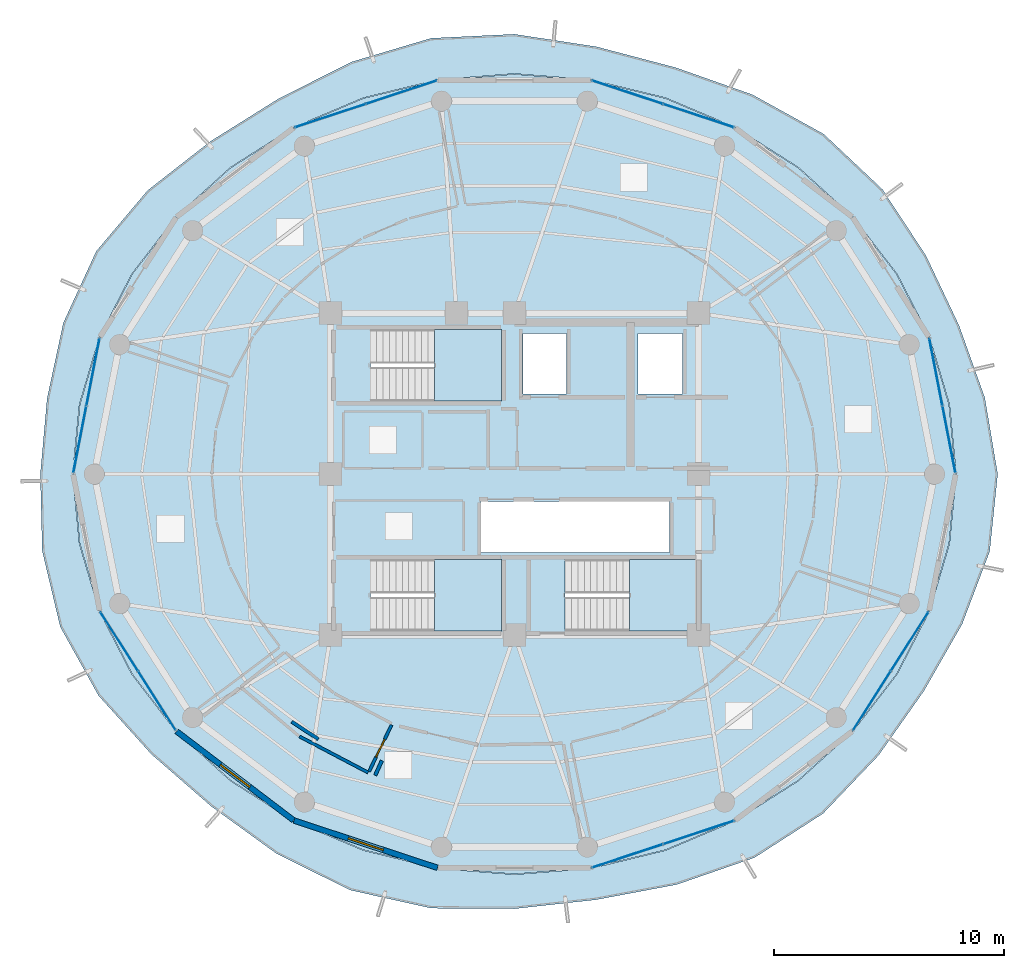
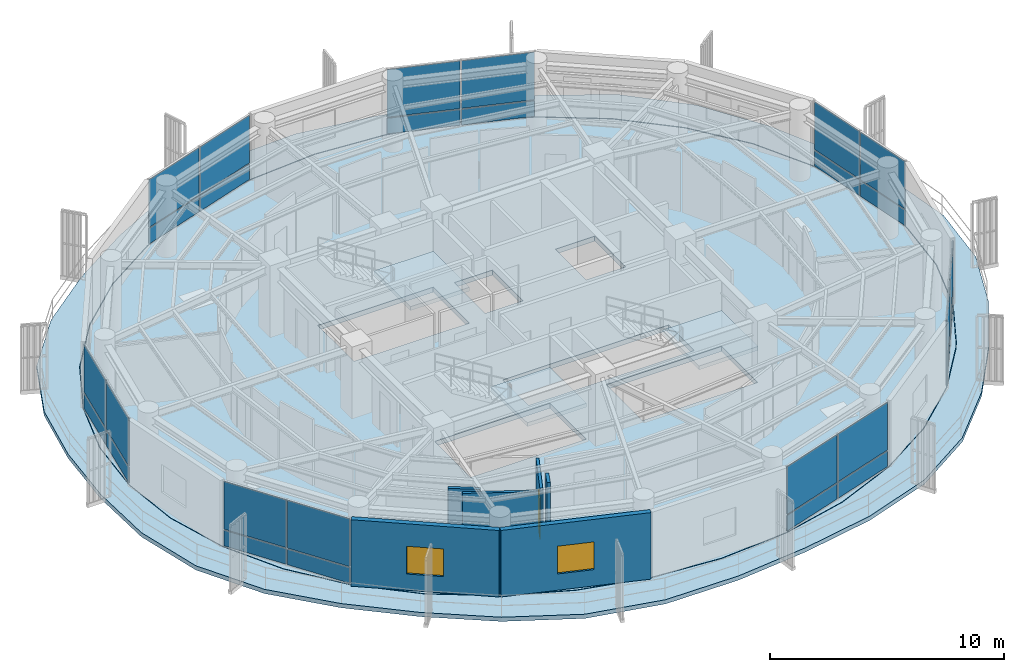
# One storey, part 15 of 23: 28 plates, 6 walls, 5 slabs, 2 windows, 1 door, 3 openings, 10 elements without a shape of their own.
"""IFC4 building model written with IfcOpenShell, lengths in metres."""

from ifc_helpers import new_model, si_unit, direction, frame, frame_2d, origin, origin_2d, place, context, subcontext, project, spatial, polyline, rectangle, outline, extrude, source, transform, mapped, material, layer, layer_set, type_object, element, fill, aggregate, save


model = new_model("IFC4")

# Units and contexts
model_context = context("Model", 3, precision=1e-05, world=origin(), true_north=direction((0.0, 1.0)))
body_context = subcontext(model_context, "Body", "Model", "MODEL_VIEW")
ifc_project = project(units=[si_unit("LENGTHUNIT", "METRE"), si_unit("AREAUNIT", "SQUARE_METRE"), si_unit("VOLUMEUNIT", "CUBIC_METRE"), si_unit("PLANEANGLEUNIT", "RADIAN"), si_unit("MASSUNIT", "GRAM", prefix="KILO")], contexts=[model_context])

# Site, building, storey
site_placement = place(None, origin())
site = spatial("IfcSite", under=ifc_project, at=site_placement, CompositionType="ELEMENT")
building_placement = place(site_placement, origin())
building = spatial("IfcBuilding", under=site, at=building_placement, Name="Kelanora Arch Commons", CompositionType="ELEMENT")
storey_placement = place(building_placement, frame((0.0, 0.0, 282.449951171875)))
storey = spatial("IfcBuildingStorey", under=building, at=storey_placement, Name="L72", CompositionType="ELEMENT", Elevation=282.449951171875)

# Stair, slab
ifc_material_1 = material(Name="Concrete C40/50", Category="concrete")
stair_type = type_object("IfcStairType", Name="STR-DL-375", PredefinedType="HALF_TURN_STAIR", material=ifc_material_1)
stair_1_placement = place(storey_placement, origin())
stair_1 = element("IfcStair", 1, at=stair_1_placement, inside=storey, type_object=stair_type, Name="L72 ST-T1", PredefinedType="HALF_TURN_STAIR")
ifc_layer_1 = layer(ifc_material_1, 0.199951171875)
ifc_layer_set_1 = layer_set([ifc_layer_1], Name="Concrete C40/50")
slab_type_1 = type_object("IfcSlabType", Name="SLB-STAIR-LND", PredefinedType="LANDING", material=ifc_layer_set_1)
slab_1_placement = place(storey_placement, frame((0.0, 0.0, 1.675048828125)))
slab_1 = element("IfcSlab", 2, at=slab_1_placement, type_object=slab_type_1, Name="ST-T1 landing 1", PredefinedType="LANDING", context=body_context, shape_type="SweptSolid", body=[
    extrude(outline(polyline([(70.52001953125, 61.179931640625), (73.43994140625, 61.179931640625), (73.43994140625, 64.2900390625), (70.52001953125, 64.2900390625), (70.52001953125, 61.179931640625)])), origin(), (0.0, 0.0, 1.0), 0.199951171875),
])
aggregate(stair_1, [slab_1])

stair_2_placement = place(storey_placement, origin())
stair_2 = element("IfcStair", 3, at=stair_2_placement, inside=storey, type_object=stair_type, Name="L72 ST-T2", PredefinedType="HALF_TURN_STAIR")
slab_2_placement = place(storey_placement, frame((0.0, 0.0, 1.675048828125)))
slab_2 = element("IfcSlab", 4, at=slab_2_placement, type_object=slab_type_1, Name="ST-T2 landing 1", PredefinedType="LANDING", context=body_context, shape_type="SweptSolid", body=[
    extrude(outline(polyline([(79.0, 51.179931640625), (81.919921875, 51.179931640625), (81.919921875, 54.2900390625), (79.0, 54.2900390625), (79.0, 51.179931640625)])), origin(), (0.0, 0.0, 1.0), 0.199951171875),
])
aggregate(stair_2, [slab_2])

stair_3_placement = place(storey_placement, origin())
stair_3 = element("IfcStair", 5, at=stair_3_placement, inside=storey, type_object=stair_type, Name="L72 ST-T3", PredefinedType="HALF_TURN_STAIR")
slab_3_placement = place(storey_placement, frame((0.0, 0.0, 1.675048828125)))
slab_3 = element("IfcSlab", 6, at=slab_3_placement, type_object=slab_type_1, Name="ST-T3 landing 1", PredefinedType="LANDING", context=body_context, shape_type="SweptSolid", body=[
    extrude(outline(polyline([(70.52001953125, 51.179931640625), (73.43994140625, 51.179931640625), (73.43994140625, 54.2900390625), (70.52001953125, 54.2900390625), (70.52001953125, 51.179931640625)])), origin(), (0.0, 0.0, 1.0), 0.199951171875),
])
aggregate(stair_3, [slab_3])

# Slabs
ifc_layer_2 = layer(ifc_material_1, 0.260009765625)
ifc_layer_set_2 = layer_set([ifc_layer_2], Name="Concrete C40/50")
slab_type_2 = type_object("IfcSlabType", Name="SLB-TWR-TYP", PredefinedType="FLOOR", material=ifc_layer_set_2)
slab_4_placement = place(storey_placement, frame((0.0, 0.0, -0.260009765625)))
element("IfcSlab", 7, at=slab_4_placement, inside=storey, type_object=slab_type_2, Name="Tower Floor Slab L72", PredefinedType="FLOOR", context=body_context, shape_type="SweptSolid", body=[
    extrude(outline(polyline([(93.199951171875, 58.0), (92.908203125, 61.021484375), (92.0419921875, 63.951171875), (90.627685546875, 66.699951171875), (88.7080078125, 69.1845703125), (86.341552734375, 71.3291015625), (83.60009765625, 73.06884765625), (80.56689453125, 74.3505859375), (77.333984375, 75.1357421875), (74.0, 75.39990234375), (70.666015625, 75.1357421875), (67.43310546875, 74.3505859375), (64.39990234375, 73.06884765625), (61.658447265625, 71.3291015625), (59.2919921875, 69.1845703125), (57.372314453125, 66.699951171875), (55.9580078125, 63.951171875), (55.091796875, 61.021484375), (54.800048828125, 58.0), (55.091796875, 54.978515625), (55.9580078125, 52.048828125), (57.372314453125, 49.300048828125), (59.2919921875, 46.8154296875), (61.658447265625, 44.6708984375), (64.39990234375, 42.93115234375), (67.43310546875, 41.6494140625), (70.666015625, 40.8642578125), (74.0, 40.60009765625), (77.333984375, 40.8642578125), (80.56689453125, 41.6494140625), (83.60009765625, 42.93115234375), (86.341552734375, 44.6708984375), (88.7080078125, 46.8154296875), (90.627685546875, 49.300048828125), (92.0419921875, 52.048828125), (92.908203125, 54.978515625), (93.199951171875, 58.0)]), holes=[polyline([(73.431884765625, 51.18798828125), (67.72802734375, 51.18798828125), (67.72802734375, 54.281982421875), (73.431884765625, 54.281982421875), (73.431884765625, 51.18798828125)]), polyline([(76.2080078125, 51.18798828125), (76.2080078125, 54.281982421875), (81.912109375, 54.281982421875), (81.912109375, 51.18798828125), (76.2080078125, 51.18798828125)]), polyline([(72.550048828125, 54.60009765625), (72.550048828125, 56.800048828125), (80.75, 56.800048828125), (80.75, 54.60009765625), (72.550048828125, 54.60009765625)]), polyline([(73.431884765625, 61.18798828125), (67.72802734375, 61.18798828125), (67.72802734375, 64.281982421875), (73.431884765625, 64.281982421875), (73.431884765625, 61.18798828125)]), polyline([(74.3798828125, 61.47998046875), (74.3798828125, 64.1201171875), (76.260009765625, 64.1201171875), (76.260009765625, 61.47998046875), (74.3798828125, 61.47998046875)]), polyline([(79.3798828125, 61.47998046875), (79.3798828125, 64.1201171875), (81.320068359375, 64.1201171875), (81.320068359375, 61.47998046875), (79.3798828125, 61.47998046875)])]), origin(), (0.0, 0.0, 1.0), 0.260009765625),
])
ifc_layer_3 = layer(ifc_material_1, 0.219970703125)
ifc_layer_set_3 = layer_set([ifc_layer_3], Name="Concrete C40/50")
slab_type_3 = type_object("IfcSlabType", Name="SLB-WAVE-BAL", PredefinedType="FLOOR", material=ifc_layer_set_3)
slab_5_placement = place(storey_placement, frame((0.0, 0.0, -0.219970703125)))
element("IfcSlab", 8, at=slab_5_placement, inside=storey, type_object=slab_type_3, Name="Sinusoidal Wave Balcony Slab L72", PredefinedType="FLOOR", context=body_context, shape_type="SweptSolid", body=[
    extrude(outline(polyline([(95.024169921875, 58.0), (94.464111328125, 61.32421875), (93.33984375, 64.472412109375), (91.901123046875, 67.51123046875), (90.0087890625, 70.388916015625), (87.4560546875, 72.794677734375), (84.353271484375, 74.5087890625), (81.008056640625, 75.688720703125), (77.567138671875, 76.59423828125), (74.0, 77.139892578125), (70.373779296875, 76.964111328125), (66.91162109375, 75.931884765625), (63.739013671875, 74.332275390625), (60.781494140625, 72.482421875), (58.0419921875, 70.342041015625), (55.807861328125, 67.69677734375), (54.376953125, 64.586181640625), (53.669677734375, 61.298095703125), (53.374267578125, 58.0), (53.45751953125, 54.660400390625), (54.23974609375, 51.35888671875), (55.90478515625, 48.364990234375), (58.2080078125, 45.81201171875), (60.8056640625, 43.54931640625), (63.646728515625, 41.4912109375), (66.8564453125, 39.90087890625), (70.38623046875, 39.11376953125), (74.0, 39.090087890625), (77.5546875, 39.4833984375), (81.063232421875, 40.14404296875), (84.44580078125, 41.314697265625), (87.431884765625, 43.237060546875), (89.8427734375, 45.764892578125), (91.80419921875, 48.550537109375), (93.47705078125, 51.472412109375), (94.67626953125, 54.634521484375), (95.024169921875, 58.0)]), holes=[polyline([(92.927978515625, 54.97509765625), (92.060791015625, 52.0419921875), (90.64501953125, 49.2900390625), (88.723388671875, 46.802490234375), (86.3544921875, 44.655517578125), (83.610107421875, 42.913818359375), (80.573486328125, 41.630615234375), (77.33740234375, 40.844482421875), (74.0, 40.580078125), (70.66259765625, 40.844482421875), (67.426513671875, 41.630615234375), (64.389892578125, 42.913818359375), (61.6455078125, 44.655517578125), (59.276611328125, 46.802490234375), (57.35498046875, 49.2900390625), (55.939208984375, 52.0419921875), (55.072021484375, 54.97509765625), (54.780029296875, 58.0), (55.072021484375, 61.02490234375), (55.939208984375, 63.9580078125), (57.35498046875, 66.7099609375), (59.276611328125, 69.197509765625), (61.6455078125, 71.344482421875), (64.389892578125, 73.086181640625), (67.426513671875, 74.369384765625), (70.66259765625, 75.155517578125), (74.0, 75.419921875), (77.33740234375, 75.155517578125), (80.573486328125, 74.369384765625), (83.610107421875, 73.086181640625), (86.3544921875, 71.344482421875), (88.723388671875, 69.197509765625), (90.64501953125, 66.7099609375), (92.060791015625, 63.9580078125), (92.927978515625, 61.02490234375), (93.219970703125, 58.0), (92.927978515625, 54.97509765625)])]), origin(), (0.0, 0.0, 1.0), 0.219970703125),
])

# Curtain wall, plates
ifc_material_2 = material(Name="Terracotta ceramic-fritted low-E glass and aluminium", Category="masonry")
ifc_layer_4 = layer(ifc_material_2, 0.18994140625)
ifc_layer_set_4 = layer_set([ifc_layer_4], Name="Terracotta ceramic-fritted low-E glass and aluminium")
curtain_wall_type = type_object("IfcCurtainWallType", Name="CW-SYS-03", PredefinedType="NOTDEFINED", material=ifc_layer_set_4)
curtain_wall_1_placement = place(storey_placement, origin())
curtain_wall_1 = element("IfcCurtainWall", 9, at=curtain_wall_1_placement, inside=storey, type_object=curtain_wall_type, Name="Unitised Curtain Wall L72-B00", PredefinedType="NOTDEFINED")
ifc_material_3 = material(Name="Terracotta ceramic-fritted double glazing", Category="masonry")
ifc_layer_5 = layer(ifc_material_3, 0.028076171875)
ifc_layer_set_5 = layer_set([ifc_layer_5], Name="Terracotta ceramic-fritted double glazing")
plate_type = type_object("IfcPlateType", Name="CWP-FRIT", PredefinedType="CURTAIN_PANEL", material=ifc_layer_set_5)
shared_shape_1 = source(origin(), body_context, "Body", "SweptSolid", [
    extrude(rectangle(XDim=2.926513671875, YDim=0.028076171875, at=origin_2d()), origin(), (0.0, 0.0, 1.0), 0.81005859375),
])
plate_1_placement = place(storey_placement, frame((92.90625, 59.509765625, 0.06005859375), z_axis=(0.0, 0.0, 1.0), x_axis=(-0.190971701941, 0.981595542501, 0.0)))
plate_1 = element("IfcPlate", 10, at=plate_1_placement, type_object=plate_type, Name="CW-03 panel 1.1", PredefinedType="CURTAIN_PANEL", context=body_context, shape_type="MappedRepresentation", body=[
    mapped(shared_shape_1, transform((0.0, 0.0, 0.0), scale=1.0)),
])
plate_2_placement = place(storey_placement, frame((92.3359375, 62.44140625, 0.06005859375), z_axis=(0.0, 0.0, 1.0), x_axis=(-0.190971701941, 0.981595542501, 0.0)))
plate_2 = element("IfcPlate", 11, at=plate_2_placement, type_object=plate_type, Name="CW-03 panel 2.1", PredefinedType="CURTAIN_PANEL", context=body_context, shape_type="MappedRepresentation", body=[
    mapped(shared_shape_1, transform((0.0, 0.0, 0.0), scale=1.0)),
])

curtain_wall_2_placement = place(storey_placement, origin())
curtain_wall_2 = element("IfcCurtainWall", 12, at=curtain_wall_2_placement, inside=storey, type_object=curtain_wall_type, Name="Unitised Curtain Wall L72-B08", PredefinedType="NOTDEFINED")
plate_3_placement = place(storey_placement, frame((55.6640625, 62.44140625, 0.06005859375), z_axis=(0.0, 0.0, 1.0), x_axis=(-0.190971701941, -0.981595542501, 0.0)))
plate_3 = element("IfcPlate", 13, at=plate_3_placement, type_object=plate_type, Name="CW-03 panel 1.1", PredefinedType="CURTAIN_PANEL", context=body_context, shape_type="MappedRepresentation", body=[
    mapped(shared_shape_1, transform((0.0, 0.0, 0.0), scale=1.0)),
])
plate_4_placement = place(storey_placement, frame((55.09375, 59.509765625, 0.06005859375), z_axis=(0.0, 0.0, 1.0), x_axis=(-0.190971701941, -0.981595542501, 0.0)))
plate_4 = element("IfcPlate", 14, at=plate_4_placement, type_object=plate_type, Name="CW-03 panel 2.1", PredefinedType="CURTAIN_PANEL", context=body_context, shape_type="MappedRepresentation", body=[
    mapped(shared_shape_1, transform((0.0, 0.0, 0.0), scale=1.0)),
])

# Plate
shared_shape_2 = source(origin(), body_context, "Body", "SweptSolid", [
    extrude(rectangle(XDim=2.926513671875, YDim=0.028076171875, at=origin_2d()), origin(), (0.0, 0.0, 1.0), 2.485107421875),
])
plate_5_placement = place(storey_placement, frame((92.90625, 59.509765625, 0.93017578125), z_axis=(0.0, 0.0, 1.0), x_axis=(-0.190971701941, 0.981595542501, 0.0)))
plate_5 = element("IfcPlate", 15, at=plate_5_placement, type_object=plate_type, Name="CW-03 panel 1.2", PredefinedType="CURTAIN_PANEL", context=body_context, shape_type="MappedRepresentation", body=[
    mapped(shared_shape_2, transform((0.0, 0.0, 0.0), scale=1.0)),
])

plate_6_placement = place(storey_placement, frame((92.3359375, 62.44140625, 0.93017578125), z_axis=(0.0, 0.0, 1.0), x_axis=(-0.190971701941, 0.981595542501, 0.0)))
plate_6 = element("IfcPlate", 16, at=plate_6_placement, type_object=plate_type, Name="CW-03 panel 2.2", PredefinedType="CURTAIN_PANEL", context=body_context, shape_type="MappedRepresentation", body=[
    mapped(shared_shape_2, transform((0.0, 0.0, 0.0), scale=1.0)),
])

aggregate(curtain_wall_1, [plate_1, plate_5, plate_2, plate_6])

plate_7_placement = place(storey_placement, frame((55.6640625, 62.44140625, 0.93017578125), z_axis=(0.0, 0.0, 1.0), x_axis=(-0.190971701941, -0.981595542501, 0.0)))
plate_7 = element("IfcPlate", 17, at=plate_7_placement, type_object=plate_type, Name="CW-03 panel 1.2", PredefinedType="CURTAIN_PANEL", context=body_context, shape_type="MappedRepresentation", body=[
    mapped(shared_shape_2, transform((0.0, 0.0, 0.0), scale=1.0)),
])

plate_8_placement = place(storey_placement, frame((55.09375, 59.509765625, 0.93017578125), z_axis=(0.0, 0.0, 1.0), x_axis=(-0.190971701941, -0.981595542501, 0.0)))
plate_8 = element("IfcPlate", 18, at=plate_8_placement, type_object=plate_type, Name="CW-03 panel 2.2", PredefinedType="CURTAIN_PANEL", context=body_context, shape_type="MappedRepresentation", body=[
    mapped(shared_shape_2, transform((0.0, 0.0, 0.0), scale=1.0)),
])

aggregate(curtain_wall_2, [plate_3, plate_7, plate_4, plate_8])

# Curtain wall, plates
curtain_wall_3_placement = place(storey_placement, origin())
curtain_wall_3 = element("IfcCurtainWall", 19, at=curtain_wall_3_placement, inside=storey, type_object=curtain_wall_type, Name="Unitised Curtain Wall L72-B03", PredefinedType="NOTDEFINED")
shared_shape_3 = source(origin(), body_context, "Body", "SweptSolid", [
    extrude(rectangle(XDim=3.194091796875, YDim=0.028076171875, at=origin_2d()), origin(), (0.0, 0.0, 1.0), 0.81005859375),
])
plate_9_placement = place(storey_placement, frame((82.01220703125, 73.592529296875, 0.06005859375), z_axis=(0.0, 0.0, 1.0), x_axis=(-0.949669780752, 0.313252785344, 0.0)))
plate_9 = element("IfcPlate", 20, at=plate_9_placement, type_object=plate_type, Name="CW-03 panel 1.1", PredefinedType="CURTAIN_PANEL", context=body_context, shape_type="MappedRepresentation", body=[
    mapped(shared_shape_3, transform((0.0, 0.0, 0.0), scale=1.0)),
])
plate_10_placement = place(storey_placement, frame((78.921875, 74.61181640625, 0.06005859375), z_axis=(0.0, 0.0, 1.0), x_axis=(-0.949669780752, 0.313252785344, 0.0)))
plate_10 = element("IfcPlate", 21, at=plate_10_placement, type_object=plate_type, Name="CW-03 panel 2.1", PredefinedType="CURTAIN_PANEL", context=body_context, shape_type="MappedRepresentation", body=[
    mapped(shared_shape_3, transform((0.0, 0.0, 0.0), scale=1.0)),
])

curtain_wall_4_placement = place(storey_placement, origin())
curtain_wall_4 = element("IfcCurtainWall", 22, at=curtain_wall_4_placement, inside=storey, type_object=curtain_wall_type, Name="Unitised Curtain Wall L72-B05", PredefinedType="NOTDEFINED")
plate_11_placement = place(storey_placement, frame((69.078125, 74.61181640625, 0.06005859375), z_axis=(0.0, 0.0, 1.0), x_axis=(-0.949669780752, -0.313252785344, 0.0)))
plate_11 = element("IfcPlate", 23, at=plate_11_placement, type_object=plate_type, Name="CW-03 panel 1.1", PredefinedType="CURTAIN_PANEL", context=body_context, shape_type="MappedRepresentation", body=[
    mapped(shared_shape_3, transform((0.0, 0.0, 0.0), scale=1.0)),
])
plate_12_placement = place(storey_placement, frame((65.98779296875, 73.592529296875, 0.06005859375), z_axis=(0.0, 0.0, 1.0), x_axis=(-0.949669780752, -0.313252785344, 0.0)))
plate_12 = element("IfcPlate", 24, at=plate_12_placement, type_object=plate_type, Name="CW-03 panel 2.1", PredefinedType="CURTAIN_PANEL", context=body_context, shape_type="MappedRepresentation", body=[
    mapped(shared_shape_3, transform((0.0, 0.0, 0.0), scale=1.0)),
])

curtain_wall_5_placement = place(storey_placement, origin())
curtain_wall_5 = element("IfcCurtainWall", 25, at=curtain_wall_5_placement, inside=storey, type_object=curtain_wall_type, Name="Unitised Curtain Wall L72-B14", PredefinedType="NOTDEFINED")
plate_13_placement = place(storey_placement, frame((78.921875, 41.38818359375, 0.06005859375), z_axis=(0.0, 0.0, 1.0), x_axis=(0.949669780752, 0.313252785344, 0.0)))
plate_13 = element("IfcPlate", 26, at=plate_13_placement, type_object=plate_type, Name="CW-03 panel 1.1", PredefinedType="CURTAIN_PANEL", context=body_context, shape_type="MappedRepresentation", body=[
    mapped(shared_shape_3, transform((0.0, 0.0, 0.0), scale=1.0)),
])
plate_14_placement = place(storey_placement, frame((82.01220703125, 42.407470703125, 0.06005859375), z_axis=(0.0, 0.0, 1.0), x_axis=(0.949669780752, 0.313252785344, 0.0)))
plate_14 = element("IfcPlate", 27, at=plate_14_placement, type_object=plate_type, Name="CW-03 panel 2.1", PredefinedType="CURTAIN_PANEL", context=body_context, shape_type="MappedRepresentation", body=[
    mapped(shared_shape_3, transform((0.0, 0.0, 0.0), scale=1.0)),
])

# Plate
shared_shape_4 = source(origin(), body_context, "Body", "SweptSolid", [
    extrude(rectangle(XDim=3.194091796875, YDim=0.028076171875, at=origin_2d()), origin(), (0.0, 0.0, 1.0), 2.485107421875),
])
plate_15_placement = place(storey_placement, frame((82.01220703125, 73.592529296875, 0.93017578125), z_axis=(0.0, 0.0, 1.0), x_axis=(-0.949669780752, 0.313252785344, 0.0)))
plate_15 = element("IfcPlate", 28, at=plate_15_placement, type_object=plate_type, Name="CW-03 panel 1.2", PredefinedType="CURTAIN_PANEL", context=body_context, shape_type="MappedRepresentation", body=[
    mapped(shared_shape_4, transform((0.0, 0.0, 0.0), scale=1.0)),
])

plate_16_placement = place(storey_placement, frame((78.921875, 74.61181640625, 0.93017578125), z_axis=(0.0, 0.0, 1.0), x_axis=(-0.949669780752, 0.313252785344, 0.0)))
plate_16 = element("IfcPlate", 29, at=plate_16_placement, type_object=plate_type, Name="CW-03 panel 2.2", PredefinedType="CURTAIN_PANEL", context=body_context, shape_type="MappedRepresentation", body=[
    mapped(shared_shape_4, transform((0.0, 0.0, 0.0), scale=1.0)),
])

aggregate(curtain_wall_3, [plate_9, plate_15, plate_10, plate_16])

plate_17_placement = place(storey_placement, frame((69.078125, 74.61181640625, 0.93017578125), z_axis=(0.0, 0.0, 1.0), x_axis=(-0.949669780752, -0.313252785344, 0.0)))
plate_17 = element("IfcPlate", 30, at=plate_17_placement, type_object=plate_type, Name="CW-03 panel 1.2", PredefinedType="CURTAIN_PANEL", context=body_context, shape_type="MappedRepresentation", body=[
    mapped(shared_shape_4, transform((0.0, 0.0, 0.0), scale=1.0)),
])

plate_18_placement = place(storey_placement, frame((65.98779296875, 73.592529296875, 0.93017578125), z_axis=(0.0, 0.0, 1.0), x_axis=(-0.949669780752, -0.313252785344, 0.0)))
plate_18 = element("IfcPlate", 31, at=plate_18_placement, type_object=plate_type, Name="CW-03 panel 2.2", PredefinedType="CURTAIN_PANEL", context=body_context, shape_type="MappedRepresentation", body=[
    mapped(shared_shape_4, transform((0.0, 0.0, 0.0), scale=1.0)),
])

aggregate(curtain_wall_4, [plate_11, plate_17, plate_12, plate_18])

plate_19_placement = place(storey_placement, frame((78.921875, 41.38818359375, 0.93017578125), z_axis=(0.0, 0.0, 1.0), x_axis=(0.949669780752, 0.313252785344, 0.0)))
plate_19 = element("IfcPlate", 32, at=plate_19_placement, type_object=plate_type, Name="CW-03 panel 1.2", PredefinedType="CURTAIN_PANEL", context=body_context, shape_type="MappedRepresentation", body=[
    mapped(shared_shape_4, transform((0.0, 0.0, 0.0), scale=1.0)),
])

plate_20_placement = place(storey_placement, frame((82.01220703125, 42.407470703125, 0.93017578125), z_axis=(0.0, 0.0, 1.0), x_axis=(0.949669780752, 0.313252785344, 0.0)))
plate_20 = element("IfcPlate", 33, at=plate_20_placement, type_object=plate_type, Name="CW-03 panel 2.2", PredefinedType="CURTAIN_PANEL", context=body_context, shape_type="MappedRepresentation", body=[
    mapped(shared_shape_4, transform((0.0, 0.0, 0.0), scale=1.0)),
])

aggregate(curtain_wall_5, [plate_13, plate_19, plate_14, plate_20])

# Curtain wall, plates
curtain_wall_6_placement = place(storey_placement, origin())
curtain_wall_6 = element("IfcCurtainWall", 34, at=curtain_wall_6_placement, inside=storey, type_object=curtain_wall_type, Name="Unitised Curtain Wall L72-B10", PredefinedType="NOTDEFINED")
shared_shape_5 = source(origin(), body_context, "Body", "SweptSolid", [
    extrude(rectangle(XDim=2.99755859375, YDim=0.028076171875, at=origin_2d()), origin(), (0.0, 0.0, 1.0), 0.81005859375),
])
plate_21_placement = place(storey_placement, frame((56.803466796875, 50.721435546875, 0.06005859375), z_axis=(0.0, 0.0, 1.0), x_axis=(0.537299814397, -0.843391314545, 0.0)))
plate_21 = element("IfcPlate", 35, at=plate_21_placement, type_object=plate_type, Name="CW-03 panel 1.1", PredefinedType="CURTAIN_PANEL", context=body_context, shape_type="MappedRepresentation", body=[
    mapped(shared_shape_5, transform((0.0, 0.0, 0.0), scale=1.0)),
])
plate_22_placement = place(storey_placement, frame((58.4462890625, 48.142822265625, 0.06005859375), z_axis=(0.0, 0.0, 1.0), x_axis=(0.537299814397, -0.843391314545, 0.0)))
plate_22 = element("IfcPlate", 36, at=plate_22_placement, type_object=plate_type, Name="CW-03 panel 2.1", PredefinedType="CURTAIN_PANEL", context=body_context, shape_type="MappedRepresentation", body=[
    mapped(shared_shape_5, transform((0.0, 0.0, 0.0), scale=1.0)),
])

curtain_wall_7_placement = place(storey_placement, origin())
curtain_wall_7 = element("IfcCurtainWall", 37, at=curtain_wall_7_placement, inside=storey, type_object=curtain_wall_type, Name="Unitised Curtain Wall L72-B16", PredefinedType="NOTDEFINED")
plate_23_placement = place(storey_placement, frame((89.5537109375, 48.142822265625, 0.06005859375), z_axis=(0.0, 0.0, 1.0), x_axis=(0.537299814397, 0.843391314545, 0.0)))
plate_23 = element("IfcPlate", 38, at=plate_23_placement, type_object=plate_type, Name="CW-03 panel 1.1", PredefinedType="CURTAIN_PANEL", context=body_context, shape_type="MappedRepresentation", body=[
    mapped(shared_shape_5, transform((0.0, 0.0, 0.0), scale=1.0)),
])
plate_24_placement = place(storey_placement, frame((91.196533203125, 50.721435546875, 0.06005859375), z_axis=(0.0, 0.0, 1.0), x_axis=(0.537299814397, 0.843391314545, 0.0)))
plate_24 = element("IfcPlate", 39, at=plate_24_placement, type_object=plate_type, Name="CW-03 panel 2.1", PredefinedType="CURTAIN_PANEL", context=body_context, shape_type="MappedRepresentation", body=[
    mapped(shared_shape_5, transform((0.0, 0.0, 0.0), scale=1.0)),
])

# Plate
shared_shape_6 = source(origin(), body_context, "Body", "SweptSolid", [
    extrude(rectangle(XDim=2.99755859375, YDim=0.028076171875, at=origin_2d()), origin(), (0.0, 0.0, 1.0), 2.485107421875),
])
plate_25_placement = place(storey_placement, frame((56.803466796875, 50.721435546875, 0.93017578125), z_axis=(0.0, 0.0, 1.0), x_axis=(0.537299814397, -0.843391314545, 0.0)))
plate_25 = element("IfcPlate", 40, at=plate_25_placement, type_object=plate_type, Name="CW-03 panel 1.2", PredefinedType="CURTAIN_PANEL", context=body_context, shape_type="MappedRepresentation", body=[
    mapped(shared_shape_6, transform((0.0, 0.0, 0.0), scale=1.0)),
])

plate_26_placement = place(storey_placement, frame((58.4462890625, 48.142822265625, 0.93017578125), z_axis=(0.0, 0.0, 1.0), x_axis=(0.537299814397, -0.843391314545, 0.0)))
plate_26 = element("IfcPlate", 41, at=plate_26_placement, type_object=plate_type, Name="CW-03 panel 2.2", PredefinedType="CURTAIN_PANEL", context=body_context, shape_type="MappedRepresentation", body=[
    mapped(shared_shape_6, transform((0.0, 0.0, 0.0), scale=1.0)),
])

aggregate(curtain_wall_6, [plate_21, plate_25, plate_22, plate_26])

plate_27_placement = place(storey_placement, frame((89.5537109375, 48.142822265625, 0.93017578125), z_axis=(0.0, 0.0, 1.0), x_axis=(0.537299814397, 0.843391314545, 0.0)))
plate_27 = element("IfcPlate", 42, at=plate_27_placement, type_object=plate_type, Name="CW-03 panel 1.2", PredefinedType="CURTAIN_PANEL", context=body_context, shape_type="MappedRepresentation", body=[
    mapped(shared_shape_6, transform((0.0, 0.0, 0.0), scale=1.0)),
])

plate_28_placement = place(storey_placement, frame((91.196533203125, 50.721435546875, 0.93017578125), z_axis=(0.0, 0.0, 1.0), x_axis=(0.537299814397, 0.843391314545, 0.0)))
plate_28 = element("IfcPlate", 43, at=plate_28_placement, type_object=plate_type, Name="CW-03 panel 2.2", PredefinedType="CURTAIN_PANEL", context=body_context, shape_type="MappedRepresentation", body=[
    mapped(shared_shape_6, transform((0.0, 0.0, 0.0), scale=1.0)),
])

aggregate(curtain_wall_7, [plate_23, plate_27, plate_24, plate_28])

# Walls
ifc_material_4 = material(Name="Autoclaved aerated concrete blockwork with fire plaster", Category="masonry")
ifc_layer_6 = layer(ifc_material_4, 0.14990234375)
ifc_layer_set_6 = layer_set([ifc_layer_6], Name="Autoclaved aerated concrete blockwork with fire plaster")
wall_type_1 = type_object("IfcWallType", Name="W-COMP-150", PredefinedType="PARTITIONING", material=ifc_layer_set_6)
wall_1_placement = place(storey_placement, frame((64.31396484375, 47.227783203125, 0.0), z_axis=(0.0, 0.0, 1.0), x_axis=(0.836108744157, -0.54856373189, 0.0)))
element("IfcWall", 44, at=wall_1_placement, inside=storey, type_object=wall_type_1, Name="Co-Living Studio L72-03 Enclosure Partition 7", PredefinedType="PARTITIONING", context=body_context, shape_type="SweptSolid", body=[
    extrude(rectangle(XDim=1.380615234375, YDim=0.14990234375, at=frame_2d((0.6904296875, 0.0))), origin(), (0.0, 0.0, 1.0), 3.074951171875),
])
wall_2_placement = place(storey_placement, frame((67.942626953125, 44.894287109375, 0.0), z_axis=(0.0, 0.0, 1.0), x_axis=(0.415116627058, 0.909768204511, 0.0)))
element("IfcWall", 45, at=wall_2_placement, inside=storey, type_object=wall_type_1, Name="Co-Living Studio L72-03 Enclosure Partition 8", PredefinedType="PARTITIONING", context=body_context, shape_type="SweptSolid", body=[
    extrude(rectangle(XDim=0.699951171875, YDim=0.14990234375, at=frame_2d((0.35009765625, 0.0))), origin(), (0.0, 0.0, 1.0), 3.47998046875),
])

# Wall, opening, window
ifc_material_5 = material(Name="Precast concrete C40/50 upper-zone terracotta rainscreen", Category="masonry")
ifc_layer_7 = layer(ifc_material_5, 0.239990234375)
ifc_layer_set_7 = layer_set([ifc_layer_7], Name="Precast concrete C40/50 upper-zone terracotta rainscreen")
wall_type_2 = type_object("IfcWallType", Name="W-EXT-TC2", PredefinedType="SOLIDWALL", material=ifc_layer_set_7)
wall_3_placement = place(storey_placement, frame((59.3037109375, 46.806396484375, 0.0), z_axis=(0.0, 0.0, 1.0), x_axis=(0.796010444211, -0.605282886514, 0.0)))
wall_3 = element("IfcWall", 46, at=wall_3_placement, inside=storey, type_object=wall_type_2, Name="Terracotta Exterior Wall L72-B11", PredefinedType="SOLIDWALL", context=body_context, shape_type="SweptSolid", body=[
    extrude(rectangle(XDim=6.387451171875, YDim=0.239990234375, at=frame_2d((3.19384765625, 0.0))), origin(), (0.0, 0.0, 1.0), 3.47509765625),
])
opening_1_placement = place(wall_3_placement, frame((2.39404296875, 0.0, 0.85009765625)))
opening_1 = element("IfcOpeningElement", 47, at=opening_1_placement, cuts=wall_3, Name="Opening WN-01", PredefinedType="OPENING", context=body_context, shape_type="SweptSolid", body=[
    extrude(rectangle(XDim=1.60009765625, YDim=1.449951171875, at=frame_2d((0.800048828125, 0.72509765625))), frame((0.0, 0.1298828125, 0.0), z_axis=(0.0, -1.0, 0.0), x_axis=(1.0, 0.0, 0.0)), (0.0, 0.0, 1.0), 0.260009765625),
])
ifc_material_6 = material(Name="Terracotta-anodised aluminium frame with operable low-E glazing", Category="masonry")
window_type = type_object("IfcWindowType", Name="WIN-CL-18", PartitioningType="DOUBLE_PANEL_VERTICAL", PredefinedType="WINDOW", material=ifc_material_6)
window_1_placement = place(opening_1_placement, origin())
window_1 = element("IfcWindow", 48, at=window_1_placement, inside=storey, type_object=window_type, Name="Co-Living Operable Window L72-B11", OverallHeight=1.449951171875, OverallWidth=1.60009765625, PartitioningType="SINGLE_PANEL", PredefinedType="WINDOW", context=body_context, shape_type="SweptSolid", body=[
    extrude(rectangle(XDim=1.60009765625, YDim=1.449951171875, at=frame_2d((0.800048828125, 0.72509765625))), frame((0.0, 0.030029296875, 0.0), z_axis=(0.0, -1.0, 0.0), x_axis=(1.0, 0.0, 0.0)), (0.0, 0.0, 1.0), 0.06005859375),
])
fill(opening_1, window_1)

wall_4_placement = place(storey_placement, frame((64.414306640625, 42.926513671875, 0.0), z_axis=(0.0, 0.0, 1.0), x_axis=(0.949663708393, -0.313271193954, 0.0)))
wall_4 = element("IfcWall", 49, at=wall_4_placement, inside=storey, type_object=wall_type_2, Name="Terracotta Exterior Wall L72-B12", PredefinedType="SOLIDWALL", context=body_context, shape_type="SweptSolid", body=[
    extrude(rectangle(XDim=6.568115234375, YDim=0.239990234375, at=frame_2d((3.2841796875, 0.0))), origin(), (0.0, 0.0, 1.0), 3.47509765625),
])
opening_2_placement = place(wall_4_placement, frame((2.48388671875, 0.0, 0.85009765625)))
opening_2 = element("IfcOpeningElement", 50, at=opening_2_placement, cuts=wall_4, Name="Opening WN-01", PredefinedType="OPENING", context=body_context, shape_type="SweptSolid", body=[
    extrude(rectangle(XDim=1.60009765625, YDim=1.449951171875, at=frame_2d((0.800048828125, 0.72509765625))), frame((0.0, 0.1298828125, 0.0), z_axis=(0.0, -1.0, 0.0), x_axis=(1.0, 0.0, 0.0)), (0.0, 0.0, 1.0), 0.260009765625),
])
window_2_placement = place(opening_2_placement, origin())
window_2 = element("IfcWindow", 51, at=window_2_placement, inside=storey, type_object=window_type, Name="Co-Living Operable Window L72-B12", OverallHeight=1.449951171875, OverallWidth=1.60009765625, PartitioningType="SINGLE_PANEL", PredefinedType="WINDOW", context=body_context, shape_type="SweptSolid", body=[
    extrude(rectangle(XDim=1.60009765625, YDim=1.449951171875, at=frame_2d((0.800048828125, 0.72509765625))), frame((0.0, 0.030029296875, 0.0), z_axis=(0.0, -1.0, 0.0), x_axis=(1.0, 0.0, 0.0)), (0.0, 0.0, 1.0), 0.06005859375),
])
fill(opening_2, window_2)

# Wall, opening, door
ifc_material_7 = material(Name="Moisture-resistant fire-rated cement-board plumbing wall")
ifc_layer_8 = layer(ifc_material_7, 0.1298828125)
ifc_layer_set_8 = layer_set([ifc_layer_8], Name="Moisture-resistant fire-rated cement-board plumbing wall")
wall_type_3 = type_object("IfcWallType", Name="W-WET-120", PredefinedType="PLUMBINGWALL", material=ifc_layer_set_8)
wall_5_placement = place(storey_placement, frame((68.656005859375, 47.0869140625, 0.0), z_axis=(0.0, 0.0, 1.0), x_axis=(-0.435107089182, -0.900378709735, 0.0)))
wall_5 = element("IfcWall", 52, at=wall_5_placement, inside=storey, type_object=wall_type_3, Name="En-Suite Shower WC L72-03 Entry Partition", PredefinedType="PLUMBINGWALL", context=body_context, shape_type="SweptSolid", body=[
    extrude(rectangle(XDim=2.25, YDim=0.1298828125, at=frame_2d((1.125, 0.0))), origin(), (0.0, 0.0, 1.0), 3.175048828125),
])
opening_3_placement = place(wall_5_placement, frame((0.695068359375, 0.0, 0.0)))
opening_3 = element("IfcOpeningElement", 53, at=opening_3_placement, cuts=wall_5, Name="Opening D-BT1", PredefinedType="OPENING", context=body_context, shape_type="SweptSolid", body=[
    extrude(rectangle(XDim=0.860107421875, YDim=2.050048828125, at=frame_2d((0.43017578125, 1.02490234375))), frame((0.0, 0.074951171875, 0.0), z_axis=(0.0, -1.0, 0.0), x_axis=(1.0, 0.0, 0.0)), (0.0, 0.0, 1.0), 0.14990234375),
])
ifc_material_8 = material(Name="Moisture-sealed fire-rated accessible bathroom door")
door_type = type_object("IfcDoorType", Name="D-BATH-85", OperationType="NOTDEFINED", PredefinedType="DOOR", material=ifc_material_8)
door_placement = place(opening_3_placement, origin())
door = element("IfcDoor", 54, at=door_placement, inside=storey, type_object=door_type, Name="En-Suite Shower WC L72-03 Door", OperationType="SINGLE_SWING_LEFT", OverallHeight=2.050048828125, OverallWidth=0.860107421875, PredefinedType="DOOR", context=body_context, shape_type="SweptSolid", body=[
    extrude(rectangle(XDim=0.860107421875, YDim=2.050048828125, at=frame_2d((0.43017578125, 1.02490234375))), frame((0.0, 0.02490234375, 0.0), z_axis=(0.0, -1.0, 0.0), x_axis=(1.0, 0.0, 0.0)), (0.0, 0.0, 1.0), 0.050048828125),
])
fill(opening_3, door)

# Wall
wall_6_placement = place(storey_placement, frame((67.63330078125, 45.016357421875, 0.0), z_axis=(0.0, 0.0, 1.0), x_axis=(-0.885210583291, 0.465190523581, 0.0)))
element("IfcWall", 55, at=wall_6_placement, inside=storey, type_object=wall_type_3, Name="En-Suite Shower WC L72-03 Enclosure Partition 4", PredefinedType="PLUMBINGWALL", context=body_context, shape_type="SweptSolid", body=[
    extrude(rectangle(XDim=3.3671875, YDim=0.1298828125, at=frame_2d((1.68359375, 0.0))), origin(), (0.0, 0.0, 1.0), 3.074951171875),
])

save(model, "model.ifc")
